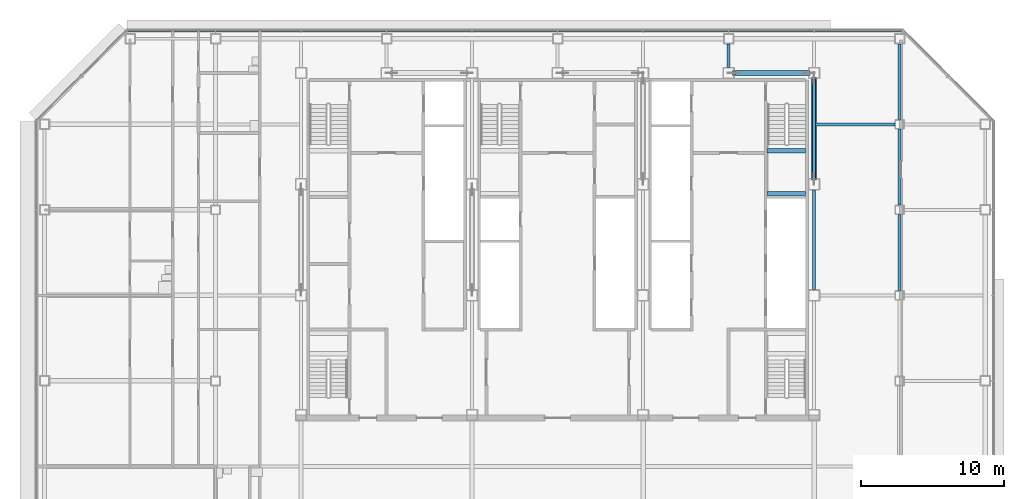
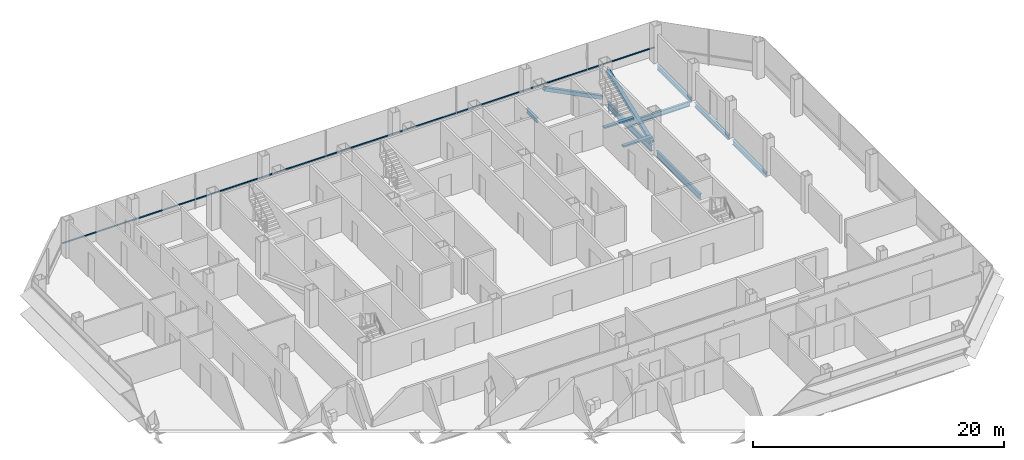
# One storey, part 14 of 27: 9 beams, 3 members, 1 element without a shape of its own.
"""IFC4 building model written with IfcOpenShell, lengths in metres."""

from ifc_helpers import new_model, si_unit, direction, frame, origin, origin_2d, place, context, subcontext, project, spatial, rectangle, hollow_rectangle, i_section, extrude, material, material_profile, profile_set, type_object, element, aggregate, save


model = new_model("IFC4")

# Units and contexts
model_context = context("Model", 3, precision=1e-05, world=origin(), true_north=direction((0.0, 1.0)))
body_context = subcontext(model_context, "Body", "Model", "MODEL_VIEW")
ifc_project = project(units=[si_unit("LENGTHUNIT", "METRE"), si_unit("AREAUNIT", "SQUARE_METRE"), si_unit("VOLUMEUNIT", "CUBIC_METRE"), si_unit("PLANEANGLEUNIT", "RADIAN"), si_unit("MASSUNIT", "GRAM", prefix="KILO")], contexts=[model_context])

# Site, building, storey
site_placement = place(None, origin())
site = spatial("IfcSite", under=ifc_project, at=site_placement, CompositionType="ELEMENT")
building_placement = place(site_placement, origin())
building = spatial("IfcBuilding", under=site, at=building_placement, Name="Sorahane Residences", CompositionType="ELEMENT")
storey_placement = place(building_placement, frame((0.0, 0.0, 195.60009765625)))
storey = spatial("IfcBuildingStorey", under=building, at=storey_placement, Name="L45", CompositionType="ELEMENT", Elevation=195.60009765625)

# Members
ifc_material_1 = material(Name="Steel Q355B", Category="steel")
ifc_material_profile_1 = material_profile(ifc_material_1, hollow_rectangle(XDim=0.35009765625, YDim=0.35009765625, WallThickness=0.01806640625, InnerFilletRadius=0.009033203125, OuterFilletRadius=0.027099609375, at=origin_2d()), Name="RHS 350x350x18")
ifc_profile_set_1 = profile_set([ifc_material_profile_1], Name="Steel Q355B")
member_type_1 = type_object("IfcMemberType", Name="Core brace RHS 350x350x18 Q355B", PredefinedType="BRACE", material=ifc_profile_set_1)
member_1_placement = place(storey_placement, frame((41.647216796875, 45.60009765625, 0.151123046875), z_axis=(-0.893055794866, 0.0, 0.449945938149), x_axis=(0.0, -1.0, 0.0)))
element("IfcMember", 1, at=member_1_placement, inside=storey, type_object=member_type_1, Name="Core brace L45 y45.6-6", PredefinedType="BRACE", context=body_context, shape_type="SweptSolid", body=[
    extrude(hollow_rectangle(XDim=0.35009765625, YDim=0.35009765625, WallThickness=0.01806640625, InnerFilletRadius=0.009033203125, OuterFilletRadius=0.027099609375, at=origin_2d()), origin(), (0.0, 0.0, 1.0), 5.928466796875),
])
member_2_placement = place(storey_placement, frame((42.0, 38.1630859375, 0.1611328125), z_axis=(0.0, 0.936554808937, 0.350521168914), x_axis=(-1.0, 0.0, 0.0)))
element("IfcMember", 2, at=member_2_placement, inside=storey, type_object=member_type_1, Name="Core brace L45 x42-3", PredefinedType="BRACE", context=body_context, shape_type="SweptSolid", body=[
    extrude(hollow_rectangle(XDim=0.35009765625, YDim=0.35009765625, WallThickness=0.01806640625, InnerFilletRadius=0.009033203125, OuterFilletRadius=0.027099609375, at=origin_2d()), origin(), (0.0, 0.0, 1.0), 7.552978515625),
])

# Curtain wall, member
ifc_material_2 = material(Name="Dark low-e glass and black anodised aluminium", Category="aluminium")
curtain_wall_type = type_object("IfcCurtainWallType", Name="Curtain wall CW-1 Typical unitised wall", PredefinedType="NOTDEFINED", material=ifc_material_2)
curtain_wall_placement = place(storey_placement, origin())
curtain_wall = element("IfcCurtainWall", 3, at=curtain_wall_placement, inside=storey, type_object=curtain_wall_type, Name="CW-1 curtain wall L45 N1", PredefinedType="NOTDEFINED")
ifc_material_3 = material(Name="Black anodised aluminium", Category="aluminium")
ifc_material_profile_2 = material_profile(ifc_material_3, rectangle(XDim=0.10009765625, YDim=0.06005859375, at=origin_2d()), Name="Curtain wall transom CW-1 black anodised aluminium 60x100")
ifc_profile_set_2 = profile_set([ifc_material_profile_2], Name="Black anodised aluminium")
member_type_2 = type_object("IfcMemberType", Name="Curtain wall transom CW-1 black anodised aluminium 60x100", PredefinedType="USERDEFINED", material=ifc_profile_set_2)
member_3_placement = place(storey_placement, frame((48.198486328125, 48.530029296875, 0.89990234375), z_axis=(-1.0, 0.0, 0.0), x_axis=(0.0, -1.0, 0.0)))
member_3 = element("IfcMember", 4, at=member_3_placement, type_object=member_type_2, Name="CW-1 transom L45 N1", ObjectType="TRANSOM", PredefinedType="USERDEFINED", context=body_context, shape_type="SweptSolid", body=[
    extrude(rectangle(XDim=0.10009765625, YDim=0.06005859375, at=origin_2d()), origin(), (0.0, 0.0, 1.0), 54.39697265625),
])
aggregate(curtain_wall, [member_3])

# Beams
ifc_material_4 = material(Name="Concrete C40", Category="concrete")
ifc_material_profile_3 = material_profile(ifc_material_4, rectangle(XDim=0.300048828125, YDim=0.139892578125, at=origin_2d()), Name="300x140")
ifc_profile_set_3 = profile_set([ifc_material_profile_3], Name="Concrete C40")
beam_type_1 = type_object("IfcBeamType", Name="RC landing beam 300 x 140 Concrete C40", PredefinedType="BEAM", material=ifc_profile_set_3)
for number, where, z_axis, x_axis, name in (
    (5, (38.699951171875, 37.14990234375, 1.52978515625), (1.0, 0.0, 0.0), (0.0, 1.0, 0.0), "Landing beam"),
    (6, (38.699951171875, 40.14990234375, 1.52978515625), (1.0, 0.0, 0.0), (0.0, 1.0, 0.0), "Landing beam"),
):
    element("IfcBeam", number, at=place(storey_placement, frame(where, z_axis=z_axis, x_axis=x_axis)), inside=storey, type_object=beam_type_1, Name=name, PredefinedType="BEAM", context=body_context, shape_type="SweptSolid", body=[
        extrude(rectangle(XDim=0.300048828125, YDim=0.139892578125, at=origin_2d()), origin(), (0.0, 0.0, 1.0), 2.699951171875),
    ])
ifc_material_5 = material(Name="Steel Q355B", Category="steel")
ifc_material_profile_4 = material_profile(ifc_material_5, i_section(OverallWidth=0.199951171875, OverallDepth=0.449951171875, WebThickness=0.009033203125, FlangeThickness=0.013916015625, FilletRadius=0.02001953125, at=origin_2d()), Name="HN 450x200x9x14")
ifc_profile_set_4 = profile_set([ifc_material_profile_4], Name="Steel Q355B")
beam_type_2 = type_object("IfcBeamType", Name="Steel floor beam HN 450x200x9x14 Q355B", PredefinedType="BEAM", material=ifc_profile_set_4)
beam_1_placement = place(storey_placement, frame((36.0, 46.0, -0.405029296875), z_axis=(0.0, 1.0, 0.0), x_axis=(-1.0, 0.0, 0.0)))
element("IfcBeam", 7, at=beam_1_placement, inside=storey, type_object=beam_type_2, Name="Beam L45 051", PredefinedType="BEAM", context=body_context, shape_type="SweptSolid", body=[
    extrude(i_section(OverallWidth=0.199951171875, OverallDepth=0.449951171875, WebThickness=0.009033203125, FlangeThickness=0.013916015625, FilletRadius=0.02001953125, at=origin_2d()), origin(), (0.0, 0.0, 1.0), 1.64990234375),
])
for number, where, z_axis, x_axis, name in (
    (8, (48.0, 30.324951171875, -0.405029296875), (0.0, 1.0, 0.0), (-1.0, 0.0, 0.0), "Beam L45 061"),
    (9, (48.0, 36.324951171875, -0.405029296875), (0.0, 1.0, 0.0), (-1.0, 0.0, 0.0), "Beam L45 062"),
):
    element("IfcBeam", number, at=place(storey_placement, frame(where, z_axis=z_axis, x_axis=x_axis)), inside=storey, type_object=beam_type_2, Name=name, PredefinedType="BEAM", context=body_context, shape_type="SweptSolid", body=[
        extrude(i_section(OverallWidth=0.199951171875, OverallDepth=0.449951171875, WebThickness=0.009033203125, FlangeThickness=0.013916015625, FilletRadius=0.02001953125, at=origin_2d()), origin(), (0.0, 0.0, 1.0), 5.35009765625),
    ])
beam_2_placement = place(storey_placement, frame((48.0, 42.324951171875, -0.405029296875), z_axis=(0.0, 1.0, 0.0), x_axis=(-1.0, 0.0, 0.0)))
element("IfcBeam", 10, at=beam_2_placement, inside=storey, type_object=beam_type_2, Name="Beam L45 063", PredefinedType="BEAM", context=body_context, shape_type="SweptSolid", body=[
    extrude(i_section(OverallWidth=0.199951171875, OverallDepth=0.449951171875, WebThickness=0.009033203125, FlangeThickness=0.013916015625, FilletRadius=0.02001953125, at=origin_2d()), origin(), (0.0, 0.0, 1.0), 5.324951171875),
])
beam_3_placement = place(storey_placement, frame((42.10009765625, 42.0, -0.405029296875), z_axis=(1.0, 0.0, 0.0), x_axis=(0.0, 1.0, 0.0)))
element("IfcBeam", 11, at=beam_3_placement, inside=storey, type_object=beam_type_2, Name="Beam L45 091", PredefinedType="BEAM", context=body_context, shape_type="SweptSolid", body=[
    extrude(i_section(OverallWidth=0.199951171875, OverallDepth=0.449951171875, WebThickness=0.009033203125, FlangeThickness=0.013916015625, FilletRadius=0.02001953125, at=origin_2d()), origin(), (0.0, 0.0, 1.0), 5.574951171875),
])
ifc_material_6 = material(Name="Steel Q355B", Category="steel")
ifc_material_profile_5 = material_profile(ifc_material_6, i_section(OverallWidth=0.199951171875, OverallDepth=0.60009765625, WebThickness=0.010986328125, FlangeThickness=0.01708984375, FilletRadius=0.02392578125, at=origin_2d()), Name="HN 600x200x11x17")
ifc_profile_set_5 = profile_set([ifc_material_profile_5], Name="Steel Q355B")
beam_type_3 = type_object("IfcBeamType", Name="Steel floor beam HN 600x200x11x17 Q355B", PredefinedType="BEAM", material=ifc_profile_set_5)
for number, where, z_axis, x_axis, name in (
    (12, (42.0, 30.39990234375, -0.47998046875), (0.0, 1.0, 0.0), (-1.0, 0.0, 0.0), "Beam L45 055"),
    (13, (42.0, 38.199951171875, -0.47998046875), (0.0, 1.0, 0.0), (-1.0, 0.0, 0.0), "Beam L45 056"),
):
    element("IfcBeam", number, at=place(storey_placement, frame(where, z_axis=z_axis, x_axis=x_axis)), inside=storey, type_object=beam_type_3, Name=name, PredefinedType="BEAM", context=body_context, shape_type="SweptSolid", body=[
        extrude(i_section(OverallWidth=0.199951171875, OverallDepth=0.60009765625, WebThickness=0.010986328125, FlangeThickness=0.01708984375, FilletRadius=0.02392578125, at=origin_2d()), origin(), (0.0, 0.0, 1.0), 7.0),
    ])

save(model, "model.ifc")
